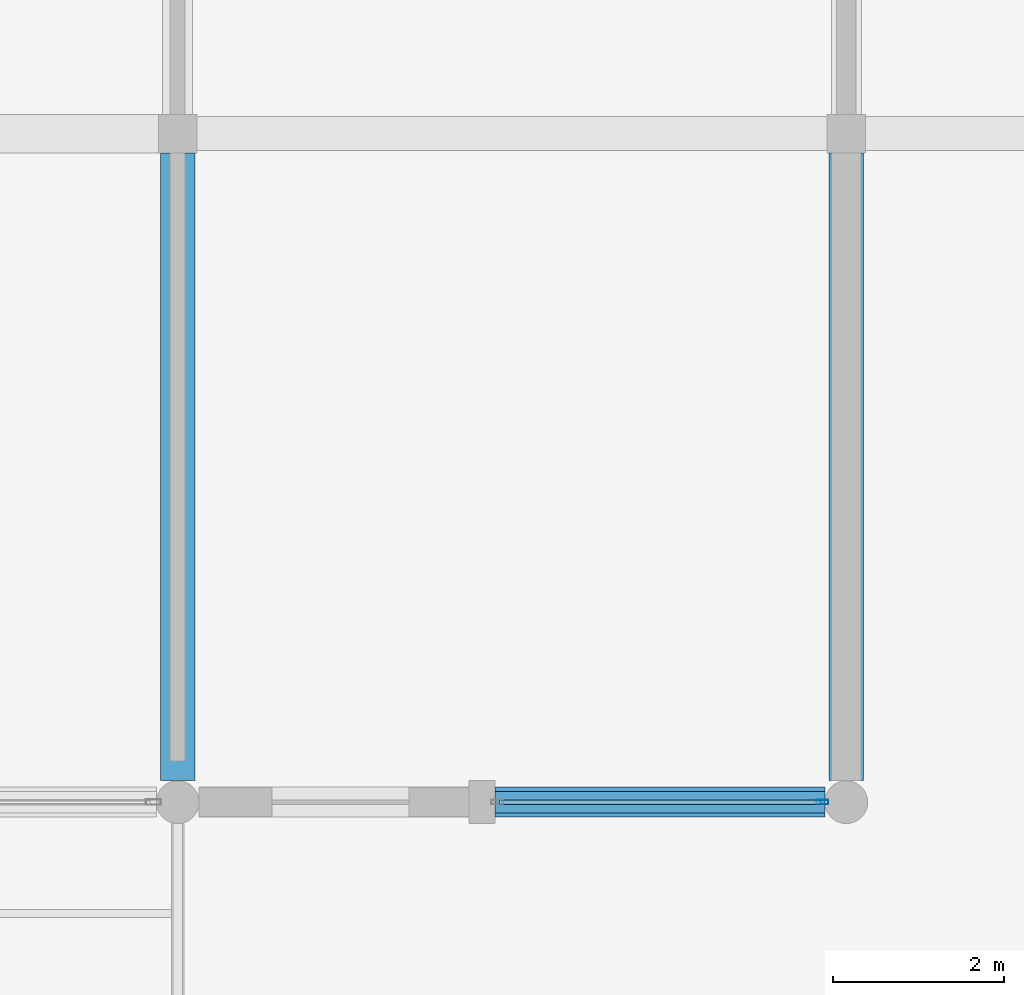
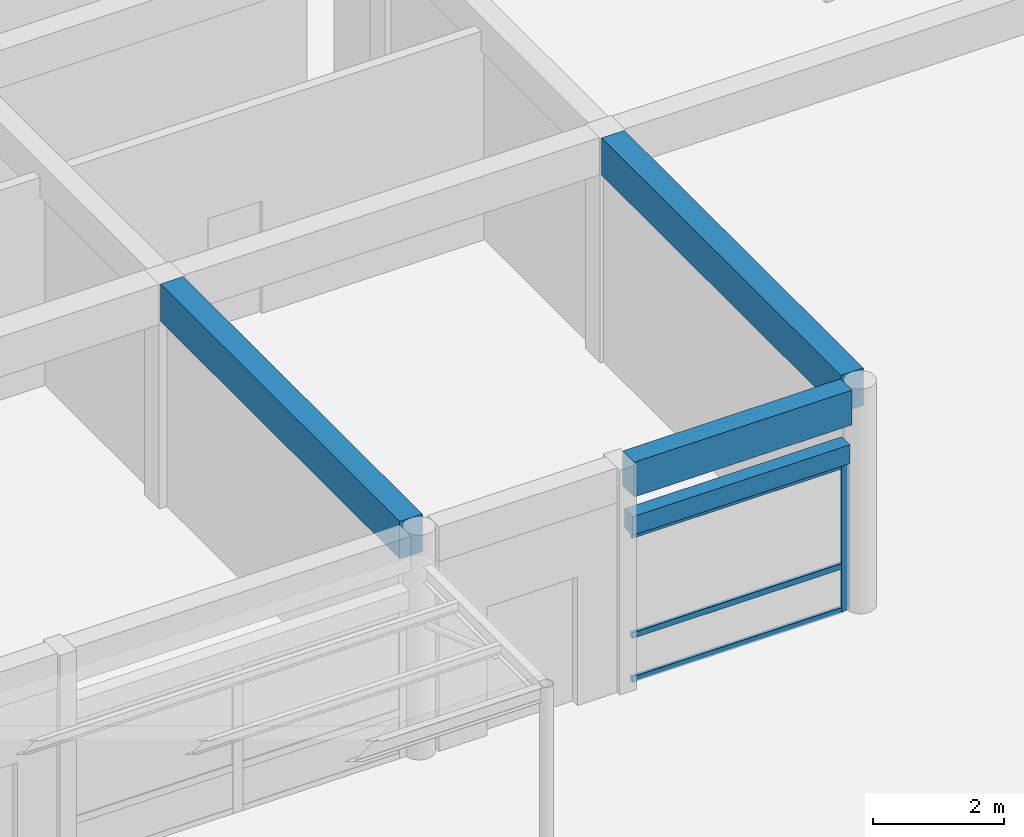
# One storey, part 24 of 75: 4 beams, 4 members, 1 element without a shape of its own.
"""IFC4 building model written with IfcOpenShell, lengths in metres."""

from ifc_helpers import new_model, si_unit, direction, frame, origin, origin_2d, place, context, subcontext, project, spatial, rectangle, hollow_rectangle, extrude, material, material_profile, profile_set, type_object, element, aggregate, save


model = new_model("IFC4")

# Units and contexts
model_context = context("Model", 3, precision=1e-05, world=origin(), true_north=direction((0.0, 1.0)))
body_context = subcontext(model_context, "Body", "Model", "MODEL_VIEW")
ifc_project = project(units=[si_unit("LENGTHUNIT", "METRE"), si_unit("AREAUNIT", "SQUARE_METRE"), si_unit("VOLUMEUNIT", "CUBIC_METRE"), si_unit("PLANEANGLEUNIT", "RADIAN"), si_unit("MASSUNIT", "GRAM", prefix="KILO")], contexts=[model_context])

# Site, building, storey
site_placement = place(None, origin())
site = spatial("IfcSite", under=ifc_project, at=site_placement, CompositionType="ELEMENT")
building_placement = place(site_placement, origin())
building = spatial("IfcBuilding", under=site, at=building_placement, Name="Kernevlak Ridge Housing Community", CompositionType="ELEMENT")
storey_placement = place(building_placement, origin())
storey = spatial("IfcBuildingStorey", under=building, at=storey_placement, Name="L00", CompositionType="ELEMENT", Elevation=0.0)

# Beams
ifc_material_1 = material(Name="Concrete C35/45", Category="concrete")
ifc_material_profile_1 = material_profile(ifc_material_1, rectangle(XDim=0.39990234375, YDim=0.699951171875, at=origin_2d()), Name="RC 400x700")
ifc_profile_set_1 = profile_set([ifc_material_profile_1], Name="Concrete C35/45")
beam_type_1 = type_object("IfcBeamType", Name="B-01", PredefinedType="BEAM", material=ifc_profile_set_1)
for number, where, z_axis, x_axis, name in (
    (1, (103.800048828125, 8.050048828125, 3.85009765625), (0.0, 1.0, 0.0), (-1.0, 0.0, 0.0), "Beam B-01 L00 2341"),
    (2, (111.60009765625, 8.050048828125, 3.85009765625), (0.0, 1.0, 0.0), (-1.0, 0.0, 0.0), "Beam B-01 L00 2355"),
):
    element("IfcBeam", number, at=place(storey_placement, frame(where, z_axis=z_axis, x_axis=x_axis)), inside=storey, type_object=beam_type_1, Name=name, PredefinedType="BEAM", context=body_context, shape_type="SweptSolid", body=[
        extrude(rectangle(XDim=0.39990234375, YDim=0.699951171875, at=origin_2d()), origin(), (0.0, 0.0, 1.0), 7.324951171875),
    ])
ifc_material_profile_2 = material_profile(ifc_material_1, rectangle(XDim=0.35009765625, YDim=0.64990234375, at=origin_2d()), Name="RC 350x650")
ifc_profile_set_2 = profile_set([ifc_material_profile_2], Name="Concrete C35/45")
beam_type_2 = type_object("IfcBeamType", Name="B-02", PredefinedType="BEAM", material=ifc_profile_set_2)
beam_1_placement = place(storey_placement, frame((107.5, 7.800048828125, 3.875), z_axis=(1.0, 0.0, 0.0), x_axis=(0.0, 1.0, 0.0)))
element("IfcBeam", 3, at=beam_1_placement, inside=storey, type_object=beam_type_2, Name="Beam B-02 L00 2052", PredefinedType="BEAM", context=body_context, shape_type="SweptSolid", body=[
    extrude(rectangle(XDim=0.35009765625, YDim=0.64990234375, at=origin_2d()), origin(), (0.0, 0.0, 1.0), 3.85009765625),
])
ifc_material_profile_3 = material_profile(ifc_material_1, rectangle(XDim=0.25, YDim=0.35009765625, at=origin_2d()), Name="RC 250x350")
ifc_profile_set_3 = profile_set([ifc_material_profile_3], Name="Concrete C35/45")
beam_type_3 = type_object("IfcBeamType", Name="LN-01", PredefinedType="LINTEL", material=ifc_profile_set_3)
beam_2_placement = place(storey_placement, frame((107.5, 7.800048828125, 2.97509765625), z_axis=(1.0, 0.0, 0.0), x_axis=(0.0, 1.0, 0.0)))
element("IfcBeam", 4, at=beam_2_placement, inside=storey, type_object=beam_type_3, Name="Beam LN-01 L00 2464", PredefinedType="LINTEL", context=body_context, shape_type="SweptSolid", body=[
    extrude(rectangle(XDim=0.25, YDim=0.35009765625, at=origin_2d()), origin(), (0.0, 0.0, 1.0), 3.85009765625),
])

# Curtain wall, members
ifc_material_2 = material(Name="Aluminium EN AW-6060 anodised and laminated glass", Category="aluminium")
curtain_wall_type = type_object("IfcCurtainWallType", Name="CW-06", PredefinedType="NOTDEFINED", material=ifc_material_2)
curtain_wall_placement = place(storey_placement, origin())
curtain_wall = element("IfcCurtainWall", 5, at=curtain_wall_placement, inside=storey, type_object=curtain_wall_type, Name="Curtain wall CW-06 CW-L00-174", PredefinedType="NOTDEFINED")
ifc_material_3 = material(Name="Aluminium EN AW-6060 anodised", Category="aluminium")
ifc_material_profile_4 = material_profile(ifc_material_3, hollow_rectangle(XDim=0.054931640625, YDim=0.139892578125, WallThickness=0.00390625, InnerFilletRadius=0.001953125, OuterFilletRadius=0.00390625, at=origin_2d()), Name="ALU 55x140x4")
ifc_profile_set_4 = profile_set([ifc_material_profile_4], Name="Aluminium EN AW-6060 anodised")
member_type_1 = type_object("IfcMemberType", Name="MU-01", PredefinedType="MULLION", material=ifc_profile_set_4)
member_1_placement = place(storey_placement, frame((111.322509765625, 7.800048828125, 0.0), z_axis=(0.0, 0.0, 1.0), x_axis=(0.0, 1.0, 0.0)))
member_1 = element("IfcMember", 6, at=member_1_placement, type_object=member_type_1, Name="CW-06 mullion 2", PredefinedType="MULLION", context=body_context, shape_type="SweptSolid", body=[
    extrude(hollow_rectangle(XDim=0.054931640625, YDim=0.139892578125, WallThickness=0.00390625, InnerFilletRadius=0.001953125, OuterFilletRadius=0.00390625, at=origin_2d()), origin(), (0.0, 0.0, 1.0), 2.75),
])
ifc_material_profile_5 = material_profile(ifc_material_3, hollow_rectangle(XDim=0.054931640625, YDim=0.110107421875, WallThickness=0.00390625, InnerFilletRadius=0.001953125, OuterFilletRadius=0.00390625, at=origin_2d()), Name="ALU 55x110x4")
ifc_profile_set_5 = profile_set([ifc_material_profile_5], Name="Aluminium EN AW-6060 anodised")
member_type_2 = type_object("IfcMemberType", Name="TM-01", PredefinedType="USERDEFINED", material=ifc_profile_set_5)
member_2_placement = place(storey_placement, frame((107.554931640625, 7.800048828125, 0.027587890625), z_axis=(1.0, 0.0, 0.0), x_axis=(0.0, 1.0, 0.0)))
member_2 = element("IfcMember", 7, at=member_2_placement, type_object=member_type_2, Name="CW-06 transom 1.1", ObjectType="TRANSOM", PredefinedType="USERDEFINED", context=body_context, shape_type="SweptSolid", body=[
    extrude(hollow_rectangle(XDim=0.054931640625, YDim=0.110107421875, WallThickness=0.00390625, InnerFilletRadius=0.001953125, OuterFilletRadius=0.00390625, at=origin_2d()), origin(), (0.0, 0.0, 1.0), 3.739990234375),
])
member_3_placement = place(storey_placement, frame((107.554931640625, 7.800048828125, 0.85009765625), z_axis=(1.0, 0.0, 0.0), x_axis=(0.0, 1.0, 0.0)))
member_3 = element("IfcMember", 8, at=member_3_placement, type_object=member_type_2, Name="CW-06 transom 1.2", ObjectType="TRANSOM", PredefinedType="USERDEFINED", context=body_context, shape_type="SweptSolid", body=[
    extrude(hollow_rectangle(XDim=0.054931640625, YDim=0.110107421875, WallThickness=0.00390625, InnerFilletRadius=0.001953125, OuterFilletRadius=0.00390625, at=origin_2d()), origin(), (0.0, 0.0, 1.0), 3.739990234375),
])
member_4_placement = place(storey_placement, frame((107.554931640625, 7.800048828125, 2.722412109375), z_axis=(1.0, 0.0, 0.0), x_axis=(0.0, 1.0, 0.0)))
member_4 = element("IfcMember", 9, at=member_4_placement, type_object=member_type_2, Name="CW-06 transom 1.3", ObjectType="TRANSOM", PredefinedType="USERDEFINED", context=body_context, shape_type="SweptSolid", body=[
    extrude(hollow_rectangle(XDim=0.054931640625, YDim=0.110107421875, WallThickness=0.00390625, InnerFilletRadius=0.001953125, OuterFilletRadius=0.00390625, at=origin_2d()), origin(), (0.0, 0.0, 1.0), 3.739990234375),
])
aggregate(curtain_wall, [member_1, member_2, member_3, member_4])

save(model, "model.ifc")
